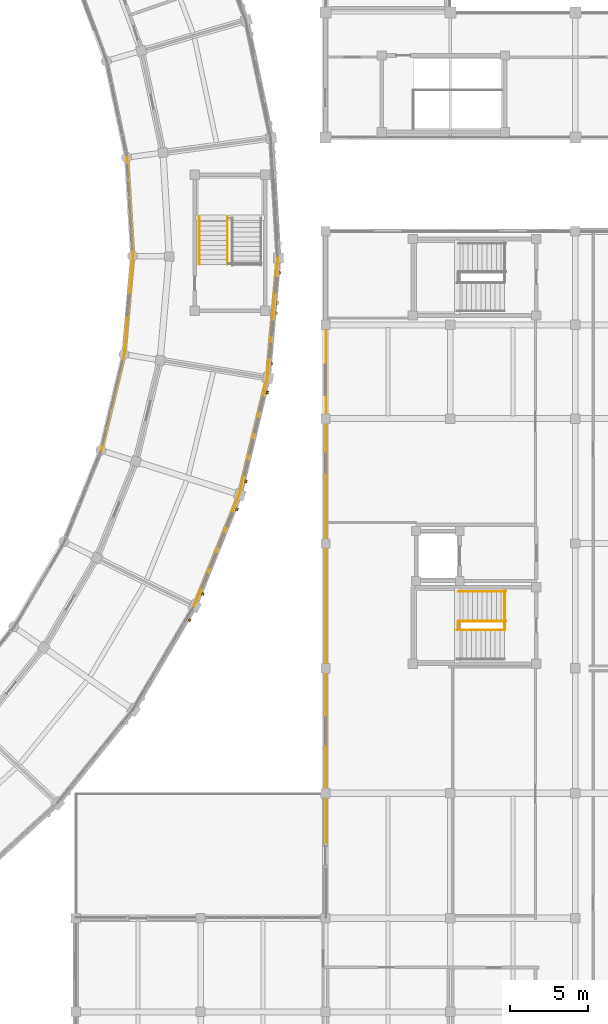
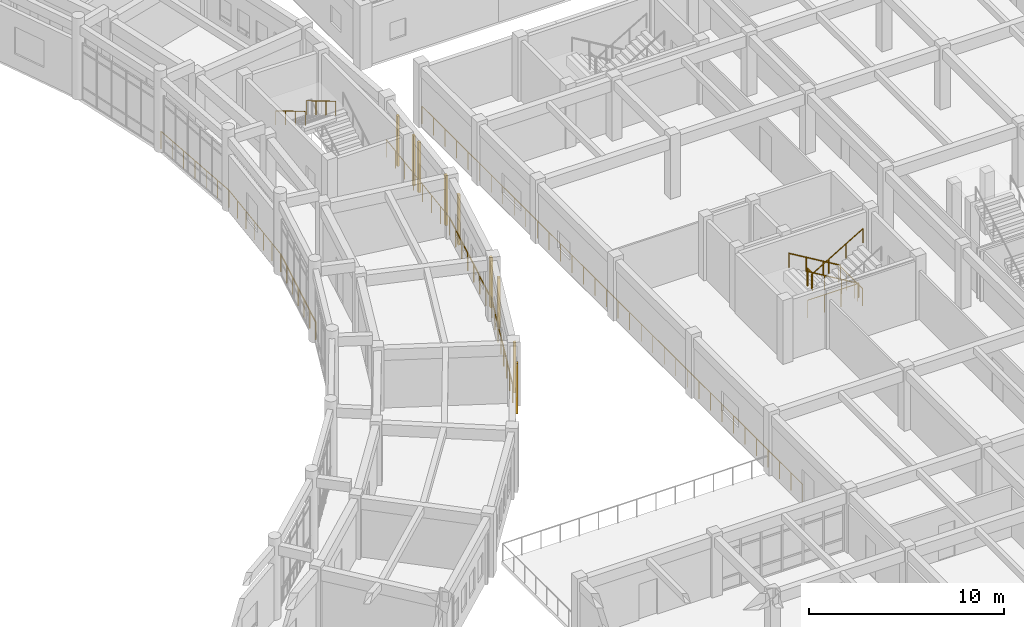
# One storey, part 155 of 159: 15 railings, 9 coverings.
"""IFC4 building model written with IfcOpenShell, lengths in metres."""

from ifc_helpers import new_model, si_unit, direction, frame, origin, origin_2d, place, context, subcontext, project, spatial, rectangle, circle, extrude, material, layer, layer_set, type_object, element, save


model = new_model("IFC4")

# Units and contexts
model_context = context("Model", 3, precision=1e-05, world=origin(), true_north=direction((0.0, 1.0)))
body_context = subcontext(model_context, "Body", "Model", "MODEL_VIEW")
ifc_project = project(units=[si_unit("LENGTHUNIT", "METRE"), si_unit("AREAUNIT", "SQUARE_METRE"), si_unit("VOLUMEUNIT", "CUBIC_METRE"), si_unit("PLANEANGLEUNIT", "RADIAN"), si_unit("MASSUNIT", "GRAM", prefix="KILO")], contexts=[model_context])

# Site, building, storey
site_placement = place(None, origin())
site = spatial("IfcSite", under=ifc_project, at=site_placement, CompositionType="ELEMENT")
building_placement = place(site_placement, origin())
building = spatial("IfcBuilding", under=site, at=building_placement, Name="Celadon Cloister-Ring School", CompositionType="ELEMENT")
storey_placement = place(building_placement, frame((0.0, 0.0, 4.5)))
storey = spatial("IfcBuildingStorey", under=building, at=storey_placement, Name="L01", CompositionType="ELEMENT", Elevation=4.5)

# Coverings
ifc_material_1 = material(Name="Perforated terracotta clay brick masonry", Category="masonry")
ifc_layer = layer(ifc_material_1, 0.139892578125)
ifc_layer_set = layer_set([ifc_layer], Name="Perforated terracotta clay brick masonry")
covering_type = type_object("IfcCoveringType", Name="CV-SC1", PredefinedType="CLADDING", material=ifc_layer_set)
for number, where, z_axis, x_axis, name in (
    (1, (133.305908203125, 35.089111328125, 0.0), (0.0, 0.0, 1.0), (-0.507809026694, -0.861469670045, 0.0), "Brick Screen Rib 0185"),
    (2, (136.33203125, 42.19189453125, 0.0), (0.0, 0.0, 1.0), (-0.375205264473, -0.926941750873, 0.0), "Brick Screen Rib 0187"),
    (3, (134.136962890625, 36.77001953125, 0.0), (0.0, 0.0, 1.0), (-0.375205264473, -0.926941750873, 0.0), "Brick Screen Rib 0188"),
    (4, (138.27294921875, 49.6650390625, 0.0), (0.0, 0.0, 1.0), (-0.233988401232, -0.972239388263, 0.0), "Brick Screen Rib 0189"),
    (5, (136.904052734375, 43.97705078125, 0.0), (0.0, 0.0, 1.0), (-0.233988401232, -0.972239388263, 0.0), "Brick Screen Rib 0190"),
    (6, (139.089111328125, 57.342041015625, 0.0), (0.0, 0.0, 1.0), (-0.087746881202, -0.996142803437, 0.0), "Brick Screen Rib 0191"),
    (7, (138.91796875, 55.39990234375, 0.0), (0.0, 0.0, 1.0), (-0.087746881202, -0.996142803437, 0.0), "Brick Screen Rib 0192"),
    (8, (138.861083984375, 54.751953125, 0.0), (0.0, 0.0, 1.0), (-0.087746881202, -0.996142803437, 0.0), "Brick Screen Rib 0193"),
    (9, (138.575927734375, 51.514892578125, 0.0), (0.0, 0.0, 1.0), (-0.087746881202, -0.996142803437, 0.0), "Brick Screen Rib 0194"),
):
    element("IfcCovering", number, at=place(storey_placement, frame(where, z_axis=z_axis, x_axis=x_axis)), inside=storey, type_object=covering_type, Name=name, PredefinedType="CLADDING", context=body_context, shape_type="SweptSolid", body=[
        extrude(rectangle(XDim=0.179931640625, YDim=0.139892578125, at=origin_2d()), origin(), (0.0, 0.0, 1.0), 3.152099609375),
    ])

# Railings
ifc_material_2 = material(Name="Structural steel S355JR", Category="steel")
railing_type_1 = type_object("IfcRailingType", Name="RL-BL1", PredefinedType="BALUSTRADE", material=ifc_material_2)
railing_1_placement = place(storey_placement, frame((133.589111328125, 35.993896484375, 0.0)))
element("IfcRailing", 10, at=railing_1_placement, inside=storey, type_object=railing_type_1, Name="Terrace Balustrade 0026", PredefinedType="BALUSTRADE", context=body_context, shape_type="SweptSolid", body=[
    extrude(circle(Radius=0.02392578125, at=origin_2d()), frame((0.0, 0.0, 1.09619140625), z_axis=(0.375144097263, 0.926966507641, 0.0), x_axis=(-0.926966507641, 0.375144097263, 0.0)), (0.0, 0.0, 1.0), 7.6982421875),
    extrude(circle(Radius=0.02099609375, at=origin_2d()), origin(), (0.0, 0.0, 1.0), 1.072021484375),
    extrude(circle(Radius=0.02099609375, at=origin_2d()), frame((0.41259765625, 1.01953125, 0.0)), (0.0, 0.0, 1.0), 1.072021484375),
    extrude(circle(Radius=0.02099609375, at=origin_2d()), frame((0.8251953125, 2.038818359375, 0.0)), (0.0, 0.0, 1.0), 1.072021484375),
    extrude(circle(Radius=0.02099609375, at=origin_2d()), frame((1.23779296875, 3.058349609375, 0.0)), (0.0, 0.0, 1.0), 1.072021484375),
    extrude(circle(Radius=0.02099609375, at=origin_2d()), frame((1.650146484375, 4.07763671875, 0.0)), (0.0, 0.0, 1.0), 1.072021484375),
    extrude(circle(Radius=0.02099609375, at=origin_2d()), frame((2.062744140625, 5.09716796875, 0.0)), (0.0, 0.0, 1.0), 1.072021484375),
    extrude(circle(Radius=0.02099609375, at=origin_2d()), frame((2.475341796875, 6.116455078125, 0.0)), (0.0, 0.0, 1.0), 1.072021484375),
    extrude(circle(Radius=0.02099609375, at=origin_2d()), frame((2.887939453125, 7.135986328125, 0.0)), (0.0, 0.0, 1.0), 1.072021484375),
])
railing_2_placement = place(storey_placement, frame((136.47705078125, 43.1298828125, 0.0)))
element("IfcRailing", 11, at=railing_2_placement, inside=storey, type_object=railing_type_1, Name="Terrace Balustrade 0027", PredefinedType="BALUSTRADE", context=body_context, shape_type="SweptSolid", body=[
    extrude(circle(Radius=0.02392578125, at=origin_2d()), frame((0.0, 0.0, 1.09619140625), z_axis=(0.234086591506, 0.972215751609, 0.0), x_axis=(-0.972215751609, 0.234086591506, 0.0)), (0.0, 0.0, 1.0), 7.697998046875),
    extrude(circle(Radius=0.02099609375, at=origin_2d()), origin(), (0.0, 0.0, 1.0), 1.072021484375),
    extrude(circle(Radius=0.02099609375, at=origin_2d()), frame((0.25732421875, 1.069091796875, 0.0)), (0.0, 0.0, 1.0), 1.072021484375),
    extrude(circle(Radius=0.02099609375, at=origin_2d()), frame((0.514892578125, 2.138427734375, 0.0)), (0.0, 0.0, 1.0), 1.072021484375),
    extrude(circle(Radius=0.02099609375, at=origin_2d()), frame((0.772216796875, 3.20751953125, 0.0)), (0.0, 0.0, 1.0), 1.072021484375),
    extrude(circle(Radius=0.02099609375, at=origin_2d()), frame((1.02978515625, 4.276611328125, 0.0)), (0.0, 0.0, 1.0), 1.072021484375),
    extrude(circle(Radius=0.02099609375, at=origin_2d()), frame((1.287109375, 5.345703125, 0.0)), (0.0, 0.0, 1.0), 1.072021484375),
    extrude(circle(Radius=0.02099609375, at=origin_2d()), frame((1.544677734375, 6.4150390625, 0.0)), (0.0, 0.0, 1.0), 1.072021484375),
    extrude(circle(Radius=0.02099609375, at=origin_2d()), frame((1.802001953125, 7.484130859375, 0.0)), (0.0, 0.0, 1.0), 1.072021484375),
])
railing_3_placement = place(storey_placement, frame((138.279052734375, 50.614013671875, 0.0)))
element("IfcRailing", 12, at=railing_3_placement, inside=storey, type_object=railing_type_1, Name="Terrace Balustrade 0028", PredefinedType="BALUSTRADE", context=body_context, shape_type="SweptSolid", body=[
    extrude(circle(Radius=0.02392578125, at=origin_2d()), frame((0.0, 0.0, 1.09619140625), z_axis=(0.08782161192, 0.996136217834, 0.0), x_axis=(-0.996136217834, 0.08782161192, 0.0)), (0.0, 0.0, 1.0), 7.69775390625),
    extrude(circle(Radius=0.02099609375, at=origin_2d()), origin(), (0.0, 0.0, 1.0), 1.072021484375),
    extrude(circle(Radius=0.02099609375, at=origin_2d()), frame((0.0966796875, 1.095458984375, 0.0)), (0.0, 0.0, 1.0), 1.072021484375),
    extrude(circle(Radius=0.02099609375, at=origin_2d()), frame((0.193115234375, 2.19091796875, 0.0)), (0.0, 0.0, 1.0), 1.072021484375),
    extrude(circle(Radius=0.02099609375, at=origin_2d()), frame((0.289794921875, 3.286376953125, 0.0)), (0.0, 0.0, 1.0), 1.072021484375),
    extrude(circle(Radius=0.02099609375, at=origin_2d()), frame((0.38623046875, 4.381591796875, 0.0)), (0.0, 0.0, 1.0), 1.072021484375),
    extrude(circle(Radius=0.02099609375, at=origin_2d()), frame((0.48291015625, 5.47705078125, 0.0)), (0.0, 0.0, 1.0), 1.072021484375),
    extrude(circle(Radius=0.02099609375, at=origin_2d()), frame((0.579345703125, 6.572509765625, 0.0)), (0.0, 0.0, 1.0), 1.072021484375),
    extrude(circle(Radius=0.02099609375, at=origin_2d()), frame((0.676025390625, 7.66796875, 0.0)), (0.0, 0.0, 1.0), 1.072021484375),
])
railing_4_placement = place(storey_placement, frame((127.64990234375, 45.9609375, 0.0)))
element("IfcRailing", 13, at=railing_4_placement, inside=storey, type_object=railing_type_1, Name="Terrace Balustrade 0062", PredefinedType="BALUSTRADE", context=body_context, shape_type="SweptSolid", body=[
    extrude(circle(Radius=0.02392578125, at=origin_2d()), frame((0.0, 0.0, 1.09619140625), z_axis=(0.233997757612, 0.972237136419, 0.0), x_axis=(-0.972237136419, 0.233997757612, 0.0)), (0.0, 0.0, 1.0), 6.32470703125),
    extrude(circle(Radius=0.02099609375, at=origin_2d()), origin(), (0.0, 0.0, 1.0), 1.072021484375),
    extrude(circle(Radius=0.02099609375, at=origin_2d()), frame((0.24658203125, 1.02490234375, 0.0)), (0.0, 0.0, 1.0), 1.072021484375),
    extrude(circle(Radius=0.02099609375, at=origin_2d()), frame((0.493408203125, 2.0498046875, 0.0)), (0.0, 0.0, 1.0), 1.072021484375),
    extrude(circle(Radius=0.02099609375, at=origin_2d()), frame((0.739990234375, 3.07470703125, 0.0)), (0.0, 0.0, 1.0), 1.072021484375),
    extrude(circle(Radius=0.02099609375, at=origin_2d()), frame((0.986572265625, 4.099365234375, 0.0)), (0.0, 0.0, 1.0), 1.072021484375),
    extrude(circle(Radius=0.02099609375, at=origin_2d()), frame((1.2333984375, 5.124267578125, 0.0)), (0.0, 0.0, 1.0), 1.072021484375),
    extrude(circle(Radius=0.02099609375, at=origin_2d()), frame((1.47998046875, 6.149169921875, 0.0)), (0.0, 0.0, 1.0), 1.072021484375),
])
railing_5_placement = place(storey_placement, frame((129.1298828125, 52.110107421875, 0.0)))
element("IfcRailing", 14, at=railing_5_placement, inside=storey, type_object=railing_type_1, Name="Terrace Balustrade 0063", PredefinedType="BALUSTRADE", context=body_context, shape_type="SweptSolid", body=[
    extrude(circle(Radius=0.02392578125, at=origin_2d()), frame((0.0, 0.0, 1.09619140625), z_axis=(0.087938875289, 0.996125872675, 0.0), x_axis=(-0.996125872675, 0.087938875289, 0.0)), (0.0, 0.0, 1.0), 6.32421875),
    extrude(circle(Radius=0.02099609375, at=origin_2d()), origin(), (0.0, 0.0, 1.0), 1.072021484375),
    extrude(circle(Radius=0.02099609375, at=origin_2d()), frame((0.0927734375, 1.050048828125, 0.0)), (0.0, 0.0, 1.0), 1.072021484375),
    extrude(circle(Radius=0.02099609375, at=origin_2d()), frame((0.185302734375, 2.099853515625, 0.0)), (0.0, 0.0, 1.0), 1.072021484375),
    extrude(circle(Radius=0.02099609375, at=origin_2d()), frame((0.278076171875, 3.14990234375, 0.0)), (0.0, 0.0, 1.0), 1.072021484375),
    extrude(circle(Radius=0.02099609375, at=origin_2d()), frame((0.370849609375, 4.199951171875, 0.0)), (0.0, 0.0, 1.0), 1.072021484375),
    extrude(circle(Radius=0.02099609375, at=origin_2d()), frame((0.46337890625, 5.249755859375, 0.0)), (0.0, 0.0, 1.0), 1.072021484375),
    extrude(circle(Radius=0.02099609375, at=origin_2d()), frame((0.55615234375, 6.2998046875, 0.0)), (0.0, 0.0, 1.0), 1.072021484375),
])
railing_6_placement = place(storey_placement, frame((129.68603515625, 58.409912109375, 0.0)))
element("IfcRailing", 15, at=railing_6_placement, inside=storey, type_object=railing_type_1, Name="Terrace Balustrade 0064", PredefinedType="BALUSTRADE", context=body_context, shape_type="SweptSolid", body=[
    extrude(circle(Radius=0.02392578125, at=origin_2d()), frame((0.0, 0.0, 1.09619140625), z_axis=(-0.060258464025, 0.998182807663, 0.0), x_axis=(-0.998182807663, -0.060258464025, 0.0)), (0.0, 0.0, 1.0), 6.324462890625),
    extrude(circle(Radius=0.02099609375, at=origin_2d()), origin(), (0.0, 0.0, 1.0), 1.072021484375),
    extrude(circle(Radius=0.02099609375, at=origin_2d()), frame((-0.0634765625, 1.05224609375, 0.0)), (0.0, 0.0, 1.0), 1.072021484375),
    extrude(circle(Radius=0.02099609375, at=origin_2d()), frame((-0.126953125, 2.104248046875, 0.0)), (0.0, 0.0, 1.0), 1.072021484375),
    extrude(circle(Radius=0.02099609375, at=origin_2d()), frame((-0.1904296875, 3.156494140625, 0.0)), (0.0, 0.0, 1.0), 1.072021484375),
    extrude(circle(Radius=0.02099609375, at=origin_2d()), frame((-0.254150390625, 4.208740234375, 0.0)), (0.0, 0.0, 1.0), 1.072021484375),
    extrude(circle(Radius=0.02099609375, at=origin_2d()), frame((-0.317626953125, 5.2607421875, 0.0)), (0.0, 0.0, 1.0), 1.072021484375),
    extrude(circle(Radius=0.02099609375, at=origin_2d()), frame((-0.381103515625, 6.31298828125, 0.0)), (0.0, 0.0, 1.0), 1.072021484375),
])
railing_7_placement = place(storey_placement, frame((142.0400390625, 59.9599609375, 0.0)))
element("IfcRailing", 16, at=railing_7_placement, inside=storey, type_object=railing_type_1, Name="Terrace Balustrade 0422", PredefinedType="BALUSTRADE", context=body_context, shape_type="SweptSolid", body=[
    extrude(circle(Radius=0.02392578125, at=origin_2d()), frame((0.0, 0.0, 1.09619140625), z_axis=(0.0, -1.0, 0.0), x_axis=(1.0, 0.0, 0.0)), (0.0, 0.0, 1.0), 39.112060546875),
    extrude(circle(Radius=0.02099609375, at=origin_2d()), origin(), (0.0, 0.0, 1.0), 1.072021484375),
    extrude(circle(Radius=0.02099609375, at=origin_2d()), frame((0.0, -1.185302734375, 0.0)), (0.0, 0.0, 1.0), 1.072021484375),
    extrude(circle(Radius=0.02099609375, at=origin_2d()), frame((0.0, -2.370361328125, 0.0)), (0.0, 0.0, 1.0), 1.072021484375),
    extrude(circle(Radius=0.02099609375, at=origin_2d()), frame((0.0, -3.5556640625, 0.0)), (0.0, 0.0, 1.0), 1.072021484375),
    extrude(circle(Radius=0.02099609375, at=origin_2d()), frame((0.0, -4.740966796875, 0.0)), (0.0, 0.0, 1.0), 1.072021484375),
    extrude(circle(Radius=0.02099609375, at=origin_2d()), frame((0.0, -5.926025390625, 0.0)), (0.0, 0.0, 1.0), 1.072021484375),
    extrude(circle(Radius=0.02099609375, at=origin_2d()), frame((0.0, -7.111328125, 0.0)), (0.0, 0.0, 1.0), 1.072021484375),
    extrude(circle(Radius=0.02099609375, at=origin_2d()), frame((0.0, -8.29638671875, 0.0)), (0.0, 0.0, 1.0), 1.072021484375),
    extrude(circle(Radius=0.02099609375, at=origin_2d()), frame((0.0, -9.481689453125, 0.0)), (0.0, 0.0, 1.0), 1.072021484375),
    extrude(circle(Radius=0.02099609375, at=origin_2d()), frame((0.0, -10.6669921875, 0.0)), (0.0, 0.0, 1.0), 1.072021484375),
    extrude(circle(Radius=0.02099609375, at=origin_2d()), frame((0.0, -11.85205078125, 0.0)), (0.0, 0.0, 1.0), 1.072021484375),
    extrude(circle(Radius=0.02099609375, at=origin_2d()), frame((0.0, -13.037353515625, 0.0)), (0.0, 0.0, 1.0), 1.072021484375),
    extrude(circle(Radius=0.02099609375, at=origin_2d()), frame((0.0, -14.22265625, 0.0)), (0.0, 0.0, 1.0), 1.072021484375),
    extrude(circle(Radius=0.02099609375, at=origin_2d()), frame((0.0, -15.40771484375, 0.0)), (0.0, 0.0, 1.0), 1.072021484375),
    extrude(circle(Radius=0.02099609375, at=origin_2d()), frame((0.0, -16.593017578125, 0.0)), (0.0, 0.0, 1.0), 1.072021484375),
    extrude(circle(Radius=0.02099609375, at=origin_2d()), frame((0.0, -17.7783203125, 0.0)), (0.0, 0.0, 1.0), 1.072021484375),
    extrude(circle(Radius=0.02099609375, at=origin_2d()), frame((0.0, -18.96337890625, 0.0)), (0.0, 0.0, 1.0), 1.072021484375),
    extrude(circle(Radius=0.02099609375, at=origin_2d()), frame((0.0, -20.148681640625, 0.0)), (0.0, 0.0, 1.0), 1.072021484375),
    extrude(circle(Radius=0.02099609375, at=origin_2d()), frame((0.0, -21.333740234375, 0.0)), (0.0, 0.0, 1.0), 1.072021484375),
    extrude(circle(Radius=0.02099609375, at=origin_2d()), frame((0.0, -22.51904296875, 0.0)), (0.0, 0.0, 1.0), 1.072021484375),
    extrude(circle(Radius=0.02099609375, at=origin_2d()), frame((0.0, -23.704345703125, 0.0)), (0.0, 0.0, 1.0), 1.072021484375),
    extrude(circle(Radius=0.02099609375, at=origin_2d()), frame((0.0, -24.889404296875, 0.0)), (0.0, 0.0, 1.0), 1.072021484375),
    extrude(circle(Radius=0.02099609375, at=origin_2d()), frame((0.0, -26.07470703125, 0.0)), (0.0, 0.0, 1.0), 1.072021484375),
    extrude(circle(Radius=0.02099609375, at=origin_2d()), frame((0.0, -27.260009765625, 0.0)), (0.0, 0.0, 1.0), 1.072021484375),
    extrude(circle(Radius=0.02099609375, at=origin_2d()), frame((0.0, -28.445068359375, 0.0)), (0.0, 0.0, 1.0), 1.072021484375),
    extrude(circle(Radius=0.02099609375, at=origin_2d()), frame((0.0, -29.63037109375, 0.0)), (0.0, 0.0, 1.0), 1.072021484375),
    extrude(circle(Radius=0.02099609375, at=origin_2d()), frame((0.0, -30.815673828125, 0.0)), (0.0, 0.0, 1.0), 1.072021484375),
    extrude(circle(Radius=0.02099609375, at=origin_2d()), frame((0.0, -32.000732421875, 0.0)), (0.0, 0.0, 1.0), 1.072021484375),
    extrude(circle(Radius=0.02099609375, at=origin_2d()), frame((0.0, -33.18603515625, 0.0)), (0.0, 0.0, 1.0), 1.072021484375),
    extrude(circle(Radius=0.02099609375, at=origin_2d()), frame((0.0, -34.37109375, 0.0)), (0.0, 0.0, 1.0), 1.072021484375),
    extrude(circle(Radius=0.02099609375, at=origin_2d()), frame((0.0, -35.556396484375, 0.0)), (0.0, 0.0, 1.0), 1.072021484375),
    extrude(circle(Radius=0.02099609375, at=origin_2d()), frame((0.0, -36.74169921875, 0.0)), (0.0, 0.0, 1.0), 1.072021484375),
    extrude(circle(Radius=0.02099609375, at=origin_2d()), frame((0.0, -37.9267578125, 0.0)), (0.0, 0.0, 1.0), 1.072021484375),
    extrude(circle(Radius=0.02099609375, at=origin_2d()), frame((0.0, -39.112060546875, 0.0)), (0.0, 0.0, 1.0), 1.072021484375),
])
ifc_material_3 = material(Name="Structural steel S355JR", Category="steel")
railing_type_2 = type_object("IfcRailingType", Name="RL-BL2", PredefinedType="BALUSTRADE", material=ifc_material_3)
railing_8_placement = place(storey_placement, frame((150.510009765625, 34.5, 2.0)))
element("IfcRailing", 17, at=railing_8_placement, inside=storey, type_object=railing_type_2, Name="Interior Guard 0178", PredefinedType="BALUSTRADE", context=body_context, shape_type="SweptSolid", body=[
    extrude(circle(Radius=0.02392578125, at=origin_2d()), frame((0.0, 0.0, 1.09619140625), z_axis=(0.0, 1.0, 0.0), x_axis=(-1.0, 0.0, 0.0)), (0.0, 0.0, 1.0), 0.5),
    extrude(circle(Radius=0.02099609375, at=origin_2d()), origin(), (0.0, 0.0, 1.0), 1.072021484375),
    extrude(circle(Radius=0.02099609375, at=origin_2d()), frame((0.0, 0.5, 0.0)), (0.0, 0.0, 1.0), 1.072021484375),
])
railing_9_placement = place(storey_placement, frame((153.47998046875, 34.5, 0.0)))
element("IfcRailing", 18, at=railing_9_placement, inside=storey, type_object=railing_type_2, Name="Interior Guard 0179", PredefinedType="BALUSTRADE", context=body_context, shape_type="SweptSolid", body=[
    extrude(circle(Radius=0.02392578125, at=origin_2d()), frame((0.0, 0.0, 1.09619140625), z_axis=(0.0, 1.0, 0.0), x_axis=(-1.0, 0.0, 0.0)), (0.0, 0.0, 1.0), 2.4599609375),
    extrude(circle(Radius=0.02099609375, at=origin_2d()), origin(), (0.0, 0.0, 1.0), 1.072021484375),
    extrude(circle(Radius=0.02099609375, at=origin_2d()), frame((0.0, 0.820068359375, 0.0)), (0.0, 0.0, 1.0), 1.072021484375),
    extrude(circle(Radius=0.02099609375, at=origin_2d()), frame((0.0, 1.639892578125, 0.0)), (0.0, 0.0, 1.0), 1.072021484375),
    extrude(circle(Radius=0.02099609375, at=origin_2d()), frame((0.0, 2.4599609375, 0.0)), (0.0, 0.0, 1.0), 1.072021484375),
])
railing_10_placement = place(storey_placement, frame((153.47998046875, 35.0, 0.0)))
element("IfcRailing", 19, at=railing_10_placement, inside=storey, type_object=railing_type_2, Name="Interior Guard 0180", PredefinedType="BALUSTRADE", context=body_context, shape_type="SweptSolid", body=[
    extrude(circle(Radius=0.02392578125, at=origin_2d()), frame((0.0, 0.0, 1.09619140625), z_axis=(-1.0, 0.0, 0.0), x_axis=(0.0, -1.0, 0.0)), (0.0, 0.0, 1.0), 2.969970703125),
    extrude(circle(Radius=0.02099609375, at=origin_2d()), origin(), (0.0, 0.0, 1.0), 1.072021484375),
    extrude(circle(Radius=0.02099609375, at=origin_2d()), frame((-0.989990234375, 0.0, 0.0)), (0.0, 0.0, 1.0), 1.072021484375),
    extrude(circle(Radius=0.02099609375, at=origin_2d()), frame((-1.97998046875, 0.0, 0.0)), (0.0, 0.0, 1.0), 1.072021484375),
    extrude(circle(Radius=0.02099609375, at=origin_2d()), frame((-2.969970703125, 0.0, 0.0)), (0.0, 0.0, 1.0), 1.072021484375),
])
ifc_material_4 = material(Name="Structural steel S355JR", Category="steel")
railing_type_3 = type_object("IfcRailingType", Name="RL-HR1", PredefinedType="HANDRAIL", material=ifc_material_4)
for number, where, name in (
    (20, (153.56005859375, 36.9150390625, 0.181884765625), "Stair Handrail 0174"),
    (21, (153.56005859375, 35.044921875, 0.181884765625), "Stair Handrail 0175"),
):
    element("IfcRailing", number, at=place(storey_placement, frame(where)), inside=storey, type_object=railing_type_3, Name=name, PredefinedType="HANDRAIL", context=body_context, shape_type="SweptSolid", body=[
        extrude(circle(Radius=0.02099609375, at=origin_2d()), frame((0.0, 0.0, 0.87890625), z_axis=(-0.858969654429, 0.0, 0.51202649616), x_axis=(0.0, -1.0, 0.0)), (0.0, 0.0, 1.0), 3.55078125),
        extrude(circle(Radius=0.01806640625, at=origin_2d()), origin(), (0.0, 0.0, 1.0), 0.85791015625),
        extrude(circle(Radius=0.01806640625, at=origin_2d()), frame((-1.0166015625, 0.0, 0.60595703125)), (0.0, 0.0, 1.0), 0.85791015625),
        extrude(circle(Radius=0.01806640625, at=origin_2d()), frame((-2.033447265625, 0.0, 1.212158203125)), (0.0, 0.0, 1.0), 0.85791015625),
        extrude(circle(Radius=0.01806640625, at=origin_2d()), frame((-3.050048828125, 0.0, 1.818115234375)), (0.0, 0.0, 1.0), 0.85791015625),
    ])
railing_11_placement = place(storey_placement, frame((150.429931640625, 34.455078125, 2.181884765625)))
element("IfcRailing", 22, at=railing_11_placement, inside=storey, type_object=railing_type_3, Name="Stair Handrail 0177", PredefinedType="HANDRAIL", context=body_context, shape_type="SweptSolid", body=[
    extrude(circle(Radius=0.02099609375, at=origin_2d()), frame((0.0, 0.0, 0.87890625), z_axis=(0.858969654429, 0.0, 0.51202649616), x_axis=(0.0, 1.0, 0.0)), (0.0, 0.0, 1.0), 3.55078125),
    extrude(circle(Radius=0.01806640625, at=origin_2d()), origin(), (0.0, 0.0, 1.0), 0.85791015625),
    extrude(circle(Radius=0.01806640625, at=origin_2d()), frame((1.0166015625, 0.0, 0.60595703125)), (0.0, 0.0, 1.0), 0.85791015625),
    extrude(circle(Radius=0.01806640625, at=origin_2d()), frame((2.033447265625, 0.0, 1.212158203125)), (0.0, 0.0, 1.0), 0.85791015625),
    extrude(circle(Radius=0.01806640625, at=origin_2d()), frame((3.050048828125, 0.0, 1.818115234375)), (0.0, 0.0, 1.0), 0.85791015625),
])
for number, where, name in (
    (23, (133.9150390625, 60.929931640625, 2.181884765625), "Stair Handrail 0260"),
    (24, (135.72509765625, 60.929931640625, 2.181884765625), "Stair Handrail 0261"),
):
    element("IfcRailing", number, at=place(storey_placement, frame(where)), inside=storey, type_object=railing_type_3, Name=name, PredefinedType="HANDRAIL", context=body_context, shape_type="SweptSolid", body=[
        extrude(circle(Radius=0.02099609375, at=origin_2d()), frame((0.0, 0.0, 0.87890625), z_axis=(0.0, -0.858969654429, 0.51202649616), x_axis=(1.0, 0.0, 0.0)), (0.0, 0.0, 1.0), 3.55078125),
        extrude(circle(Radius=0.01806640625, at=origin_2d()), origin(), (0.0, 0.0, 1.0), 0.85791015625),
        extrude(circle(Radius=0.01806640625, at=origin_2d()), frame((0.0, -1.0166015625, 0.60595703125)), (0.0, 0.0, 1.0), 0.85791015625),
        extrude(circle(Radius=0.01806640625, at=origin_2d()), frame((0.0, -2.033447265625, 1.212158203125)), (0.0, 0.0, 1.0), 0.85791015625),
        extrude(circle(Radius=0.01806640625, at=origin_2d()), frame((0.0, -3.050048828125, 1.818115234375)), (0.0, 0.0, 1.0), 0.85791015625),
    ])

save(model, "model.ifc")
